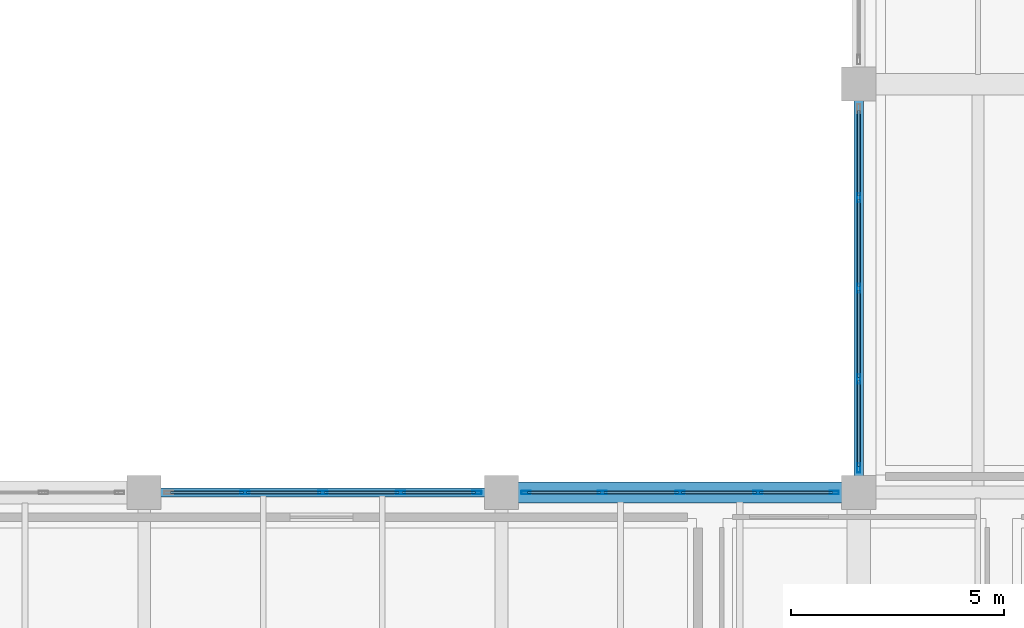
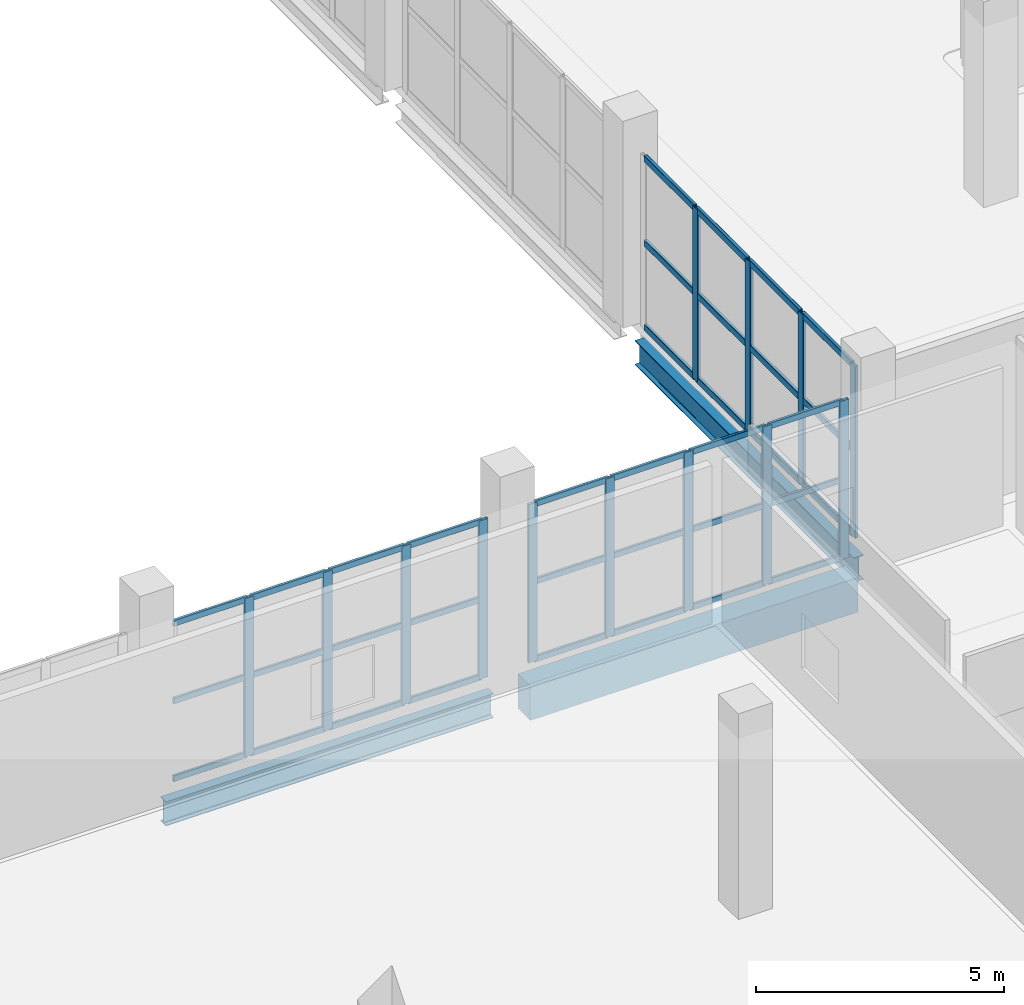
# One storey, part 39 of 73: 49 members, 3 beams, 3 elements without a shape of their own.
"""IFC4 building model written with IfcOpenShell, lengths in metres."""

from ifc_helpers import new_model, si_unit, direction, frame, origin, origin_2d, place, context, subcontext, project, spatial, rectangle, hollow_rectangle, i_section, extrude, material, layer, layer_set, material_profile, profile_set, type_object, element, aggregate, save


model = new_model("IFC4")

# Units and contexts
model_context = context("Model", 3, precision=1e-05, world=origin(), true_north=direction((0.0, 1.0)))
body_context = subcontext(model_context, "Body", "Model", "MODEL_VIEW")
ifc_project = project(units=[si_unit("LENGTHUNIT", "METRE"), si_unit("AREAUNIT", "SQUARE_METRE"), si_unit("VOLUMEUNIT", "CUBIC_METRE"), si_unit("PLANEANGLEUNIT", "RADIAN"), si_unit("MASSUNIT", "GRAM", prefix="KILO")], contexts=[model_context])

# Site, building, storey
site_placement = place(None, origin())
site = spatial("IfcSite", under=ifc_project, at=site_placement, CompositionType="ELEMENT")
building_placement = place(site_placement, origin())
building = spatial("IfcBuilding", under=site, at=building_placement, Name="Zulmaris Art Gallery", CompositionType="ELEMENT")
storey_placement = place(building_placement, frame((0.0, 0.0, 10.5)))
storey = spatial("IfcBuildingStorey", under=building, at=storey_placement, Name="L02", CompositionType="ELEMENT", Elevation=10.5)

# Beams
ifc_material_1 = material(Name="Steel S355J2", Category="steel")
ifc_material_profile_1 = material_profile(ifc_material_1, i_section(OverallWidth=0.219970703125, OverallDepth=0.60009765625, WebThickness=0.011962890625, FlangeThickness=0.01904296875, FilletRadius=0.02392578125, at=origin_2d()), Name="IPE 600")
ifc_profile_set_1 = profile_set([ifc_material_profile_1], Name="Steel S355J2")
beam_type_1 = type_object("IfcBeamType", Name="BEAM-BM07", PredefinedType="BEAM", material=ifc_profile_set_1)
beam_1_placement = place(storey_placement, frame((167.18505859375, 31.199951171875, -0.695068359375), z_axis=(1.0, 0.0, 0.0), x_axis=(0.0, 1.0, 0.0)))
element("IfcBeam", 1, at=beam_1_placement, inside=storey, type_object=beam_type_1, Name="L02 X-girder (166.8..175.2, y=31.2)", PredefinedType="BEAM", context=body_context, shape_type="SweptSolid", body=[
    extrude(i_section(OverallWidth=0.219970703125, OverallDepth=0.60009765625, WebThickness=0.011962890625, FlangeThickness=0.01904296875, FilletRadius=0.02392578125, at=origin_2d()), origin(), (0.0, 0.0, 1.0), 7.6298828125),
])
beam_2_placement = place(storey_placement, frame((183.60009765625, 31.5849609375, -0.699951171875), z_axis=(0.0, 1.0, 0.0), x_axis=(-1.0, 0.0, 0.0)))
element("IfcBeam", 2, at=beam_2_placement, inside=storey, type_object=beam_type_1, Name="L02 Y-girder (x=183.6, 31.2..40.8)", PredefinedType="BEAM", context=body_context, shape_type="SweptSolid", body=[
    extrude(i_section(OverallWidth=0.219970703125, OverallDepth=0.60009765625, WebThickness=0.011962890625, FlangeThickness=0.01904296875, FilletRadius=0.02392578125, at=origin_2d()), origin(), (0.0, 0.0, 1.0), 8.830078125),
])
ifc_material_2 = material(Name="Concrete C40/50", Category="concrete")
ifc_material_profile_2 = material_profile(ifc_material_2, rectangle(XDim=0.5, YDim=0.85009765625, at=origin_2d()), Name="RC 500x850")
ifc_profile_set_2 = profile_set([ifc_material_profile_2], Name="Concrete C40/50")
beam_type_2 = type_object("IfcBeamType", Name="BEAM-BM26", PredefinedType="BEAM", material=ifc_profile_set_2)
beam_3_placement = place(storey_placement, frame((175.5849609375, 31.199951171875, -0.824951171875), z_axis=(1.0, 0.0, 0.0), x_axis=(0.0, 1.0, 0.0)))
element("IfcBeam", 3, at=beam_3_placement, inside=storey, type_object=beam_type_2, Name="L02 X-girder (175.2..183.6, y=31.2)", PredefinedType="BEAM", context=body_context, shape_type="SweptSolid", body=[
    extrude(rectangle(XDim=0.5, YDim=0.85009765625, at=origin_2d()), origin(), (0.0, 0.0, 1.0), 7.630126953125),
])

# Curtain wall, members
ifc_material_3 = material(Name="Courtyard Artists Studio Curtain Wall", Category="aluminium")
ifc_layer = layer(ifc_material_3, 0.179931640625)
ifc_layer_set = layer_set([ifc_layer], Name="Courtyard Artists Studio Curtain Wall")
curtain_wall_type = type_object("IfcCurtainWallType", Name="CW-CW04", PredefinedType="NOTDEFINED", material=ifc_layer_set)
curtain_wall_1_placement = place(storey_placement, origin())
curtain_wall_1 = element("IfcCurtainWall", 4, at=curtain_wall_1_placement, inside=storey, type_object=curtain_wall_type, Name="L02 curtain wall 136", PredefinedType="NOTDEFINED")
ifc_material_4 = material(Name="Anodised Bronze Aluminium", Category="aluminium")
ifc_material_profile_3 = material_profile(ifc_material_4, hollow_rectangle(XDim=0.074951171875, YDim=0.219970703125, WallThickness=0.0048828125, InnerFilletRadius=0.007568359375, OuterFilletRadius=0.012451171875, at=origin_2d()), Name="ALU 75x220x5")
ifc_profile_set_3 = profile_set([ifc_material_profile_3], Name="Anodised Bronze Aluminium")
member_type_1 = type_object("IfcMemberType", Name="CWMUL-02", PredefinedType="MULLION", material=ifc_profile_set_3)
member_1_placement = place(storey_placement, frame((183.60009765625, 38.1298828125, 0.0), z_axis=(0.0, 0.0, 1.0), x_axis=(1.0, 0.0, 0.0)))
member_1 = element("IfcMember", 5, at=member_1_placement, type_object=member_type_1, Name="CW04 mullion 2", PredefinedType="MULLION", context=body_context, shape_type="SweptSolid", body=[
    extrude(hollow_rectangle(XDim=0.074951171875, YDim=0.219970703125, WallThickness=0.0048828125, InnerFilletRadius=0.007568359375, OuterFilletRadius=0.012451171875, at=origin_2d()), origin(), (0.0, 0.0, 1.0), 4.22998046875),
])
member_2_placement = place(storey_placement, frame((183.60009765625, 36.0, 0.0), z_axis=(0.0, 0.0, 1.0), x_axis=(1.0, 0.0, 0.0)))
member_2 = element("IfcMember", 6, at=member_2_placement, type_object=member_type_1, Name="CW04 mullion 3", PredefinedType="MULLION", context=body_context, shape_type="SweptSolid", body=[
    extrude(hollow_rectangle(XDim=0.074951171875, YDim=0.219970703125, WallThickness=0.0048828125, InnerFilletRadius=0.007568359375, OuterFilletRadius=0.012451171875, at=origin_2d()), origin(), (0.0, 0.0, 1.0), 4.22998046875),
])
member_3_placement = place(storey_placement, frame((183.60009765625, 33.8701171875, 0.0), z_axis=(0.0, 0.0, 1.0), x_axis=(1.0, 0.0, 0.0)))
member_3 = element("IfcMember", 7, at=member_3_placement, type_object=member_type_1, Name="CW04 mullion 4", PredefinedType="MULLION", context=body_context, shape_type="SweptSolid", body=[
    extrude(hollow_rectangle(XDim=0.074951171875, YDim=0.219970703125, WallThickness=0.0048828125, InnerFilletRadius=0.007568359375, OuterFilletRadius=0.012451171875, at=origin_2d()), origin(), (0.0, 0.0, 1.0), 4.22998046875),
])
member_4_placement = place(storey_placement, frame((183.60009765625, 31.777587890625, 0.0), z_axis=(0.0, 0.0, 1.0), x_axis=(1.0, 0.0, 0.0)))
member_4 = element("IfcMember", 8, at=member_4_placement, type_object=member_type_1, Name="CW04 mullion 5", PredefinedType="MULLION", context=body_context, shape_type="SweptSolid", body=[
    extrude(hollow_rectangle(XDim=0.074951171875, YDim=0.219970703125, WallThickness=0.0048828125, InnerFilletRadius=0.007568359375, OuterFilletRadius=0.012451171875, at=origin_2d()), origin(), (0.0, 0.0, 1.0), 4.22998046875),
])

curtain_wall_2_placement = place(storey_placement, origin())
curtain_wall_2 = element("IfcCurtainWall", 9, at=curtain_wall_2_placement, inside=storey, type_object=curtain_wall_type, Name="L02 curtain wall 144", PredefinedType="NOTDEFINED")
member_5_placement = place(storey_placement, frame((169.169921875, 31.199951171875, 0.0), z_axis=(0.0, 0.0, 1.0), x_axis=(0.0, 1.0, 0.0)))
member_5 = element("IfcMember", 10, at=member_5_placement, type_object=member_type_1, Name="CW04 mullion 2", PredefinedType="MULLION", context=body_context, shape_type="SweptSolid", body=[
    extrude(hollow_rectangle(XDim=0.074951171875, YDim=0.219970703125, WallThickness=0.0048828125, InnerFilletRadius=0.007568359375, OuterFilletRadius=0.012451171875, at=origin_2d()), origin(), (0.0, 0.0, 1.0), 3.89990234375),
])
member_6_placement = place(storey_placement, frame((171.0, 31.199951171875, 0.0), z_axis=(0.0, 0.0, 1.0), x_axis=(0.0, 1.0, 0.0)))
member_6 = element("IfcMember", 11, at=member_6_placement, type_object=member_type_1, Name="CW04 mullion 3", PredefinedType="MULLION", context=body_context, shape_type="SweptSolid", body=[
    extrude(hollow_rectangle(XDim=0.074951171875, YDim=0.219970703125, WallThickness=0.0048828125, InnerFilletRadius=0.007568359375, OuterFilletRadius=0.012451171875, at=origin_2d()), origin(), (0.0, 0.0, 1.0), 3.89990234375),
])
member_7_placement = place(storey_placement, frame((172.830078125, 31.199951171875, 0.0), z_axis=(0.0, 0.0, 1.0), x_axis=(0.0, 1.0, 0.0)))
member_7 = element("IfcMember", 12, at=member_7_placement, type_object=member_type_1, Name="CW04 mullion 4", PredefinedType="MULLION", context=body_context, shape_type="SweptSolid", body=[
    extrude(hollow_rectangle(XDim=0.074951171875, YDim=0.219970703125, WallThickness=0.0048828125, InnerFilletRadius=0.007568359375, OuterFilletRadius=0.012451171875, at=origin_2d()), origin(), (0.0, 0.0, 1.0), 3.89990234375),
])
member_8_placement = place(storey_placement, frame((174.62255859375, 31.199951171875, 0.0), z_axis=(0.0, 0.0, 1.0), x_axis=(0.0, 1.0, 0.0)))
member_8 = element("IfcMember", 13, at=member_8_placement, type_object=member_type_1, Name="CW04 mullion 5", PredefinedType="MULLION", context=body_context, shape_type="SweptSolid", body=[
    extrude(hollow_rectangle(XDim=0.074951171875, YDim=0.219970703125, WallThickness=0.0048828125, InnerFilletRadius=0.007568359375, OuterFilletRadius=0.012451171875, at=origin_2d()), origin(), (0.0, 0.0, 1.0), 3.89990234375),
])

curtain_wall_3_placement = place(storey_placement, origin())
curtain_wall_3 = element("IfcCurtainWall", 14, at=curtain_wall_3_placement, inside=storey, type_object=curtain_wall_type, Name="L02 curtain wall 146", PredefinedType="NOTDEFINED")
member_9_placement = place(storey_placement, frame((175.777587890625, 31.199951171875, 0.0), z_axis=(0.0, 0.0, 1.0), x_axis=(0.0, 1.0, 0.0)))
member_9 = element("IfcMember", 15, at=member_9_placement, type_object=member_type_1, Name="CW04 mullion 1", PredefinedType="MULLION", context=body_context, shape_type="SweptSolid", body=[
    extrude(hollow_rectangle(XDim=0.074951171875, YDim=0.219970703125, WallThickness=0.0048828125, InnerFilletRadius=0.007568359375, OuterFilletRadius=0.012451171875, at=origin_2d()), origin(), (0.0, 0.0, 1.0), 3.89990234375),
])
member_10_placement = place(storey_placement, frame((177.570068359375, 31.199951171875, 0.0), z_axis=(0.0, 0.0, 1.0), x_axis=(0.0, 1.0, 0.0)))
member_10 = element("IfcMember", 16, at=member_10_placement, type_object=member_type_1, Name="CW04 mullion 2", PredefinedType="MULLION", context=body_context, shape_type="SweptSolid", body=[
    extrude(hollow_rectangle(XDim=0.074951171875, YDim=0.219970703125, WallThickness=0.0048828125, InnerFilletRadius=0.007568359375, OuterFilletRadius=0.012451171875, at=origin_2d()), origin(), (0.0, 0.0, 1.0), 3.89990234375),
])
member_11_placement = place(storey_placement, frame((179.39990234375, 31.199951171875, 0.0), z_axis=(0.0, 0.0, 1.0), x_axis=(0.0, 1.0, 0.0)))
member_11 = element("IfcMember", 17, at=member_11_placement, type_object=member_type_1, Name="CW04 mullion 3", PredefinedType="MULLION", context=body_context, shape_type="SweptSolid", body=[
    extrude(hollow_rectangle(XDim=0.074951171875, YDim=0.219970703125, WallThickness=0.0048828125, InnerFilletRadius=0.007568359375, OuterFilletRadius=0.012451171875, at=origin_2d()), origin(), (0.0, 0.0, 1.0), 3.89990234375),
])
member_12_placement = place(storey_placement, frame((181.22998046875, 31.199951171875, 0.0), z_axis=(0.0, 0.0, 1.0), x_axis=(0.0, 1.0, 0.0)))
member_12 = element("IfcMember", 18, at=member_12_placement, type_object=member_type_1, Name="CW04 mullion 4", PredefinedType="MULLION", context=body_context, shape_type="SweptSolid", body=[
    extrude(hollow_rectangle(XDim=0.074951171875, YDim=0.219970703125, WallThickness=0.0048828125, InnerFilletRadius=0.007568359375, OuterFilletRadius=0.012451171875, at=origin_2d()), origin(), (0.0, 0.0, 1.0), 3.89990234375),
])
member_13_placement = place(storey_placement, frame((183.0224609375, 31.199951171875, 0.0), z_axis=(0.0, 0.0, 1.0), x_axis=(0.0, 1.0, 0.0)))
member_13 = element("IfcMember", 19, at=member_13_placement, type_object=member_type_1, Name="CW04 mullion 5", PredefinedType="MULLION", context=body_context, shape_type="SweptSolid", body=[
    extrude(hollow_rectangle(XDim=0.074951171875, YDim=0.219970703125, WallThickness=0.0048828125, InnerFilletRadius=0.007568359375, OuterFilletRadius=0.012451171875, at=origin_2d()), origin(), (0.0, 0.0, 1.0), 3.89990234375),
])

# Member
ifc_material_profile_4 = material_profile(ifc_material_4, hollow_rectangle(XDim=0.06494140625, YDim=0.14990234375, WallThickness=0.00390625, InnerFilletRadius=0.006103515625, OuterFilletRadius=0.010009765625, at=origin_2d()), Name="ALU 65x150x4")
ifc_profile_set_4 = profile_set([ifc_material_profile_4], Name="Anodised Bronze Aluminium")
member_type_2 = type_object("IfcMemberType", Name="CWTRN-01", PredefinedType="USERDEFINED", material=ifc_profile_set_4)
member_14_placement = place(storey_placement, frame((167.4150390625, 31.199951171875, 0.03759765625), z_axis=(1.0, 0.0, 0.0), x_axis=(0.0, 1.0, 0.0)))
member_14 = element("IfcMember", 20, at=member_14_placement, type_object=member_type_2, Name="CW04 transom 1.1", ObjectType="TRANSOM", PredefinedType="USERDEFINED", context=body_context, shape_type="SweptSolid", body=[
    extrude(hollow_rectangle(XDim=0.06494140625, YDim=0.14990234375, WallThickness=0.00390625, InnerFilletRadius=0.006103515625, OuterFilletRadius=0.010009765625, at=origin_2d()), origin(), (0.0, 0.0, 1.0), 1.717529296875),
])

member_15_placement = place(storey_placement, frame((167.4150390625, 31.199951171875, 1.949951171875), z_axis=(1.0, 0.0, 0.0), x_axis=(0.0, 1.0, 0.0)))
member_15 = element("IfcMember", 21, at=member_15_placement, type_object=member_type_2, Name="CW04 transom 1.2", ObjectType="TRANSOM", PredefinedType="USERDEFINED", context=body_context, shape_type="SweptSolid", body=[
    extrude(hollow_rectangle(XDim=0.06494140625, YDim=0.14990234375, WallThickness=0.00390625, InnerFilletRadius=0.006103515625, OuterFilletRadius=0.010009765625, at=origin_2d()), origin(), (0.0, 0.0, 1.0), 1.717529296875),
])

member_16_placement = place(storey_placement, frame((167.4150390625, 31.199951171875, 3.862548828125), z_axis=(1.0, 0.0, 0.0), x_axis=(0.0, 1.0, 0.0)))
member_16 = element("IfcMember", 22, at=member_16_placement, type_object=member_type_2, Name="CW04 transom 1.3", ObjectType="TRANSOM", PredefinedType="USERDEFINED", context=body_context, shape_type="SweptSolid", body=[
    extrude(hollow_rectangle(XDim=0.06494140625, YDim=0.14990234375, WallThickness=0.00390625, InnerFilletRadius=0.006103515625, OuterFilletRadius=0.010009765625, at=origin_2d()), origin(), (0.0, 0.0, 1.0), 1.717529296875),
])

member_17_placement = place(storey_placement, frame((169.20751953125, 31.199951171875, 0.03759765625), z_axis=(1.0, 0.0, 0.0), x_axis=(0.0, 1.0, 0.0)))
member_17 = element("IfcMember", 23, at=member_17_placement, type_object=member_type_2, Name="CW04 transom 2.1", ObjectType="TRANSOM", PredefinedType="USERDEFINED", context=body_context, shape_type="SweptSolid", body=[
    extrude(hollow_rectangle(XDim=0.06494140625, YDim=0.14990234375, WallThickness=0.00390625, InnerFilletRadius=0.006103515625, OuterFilletRadius=0.010009765625, at=origin_2d()), origin(), (0.0, 0.0, 1.0), 1.7548828125),
])

member_18_placement = place(storey_placement, frame((169.20751953125, 31.199951171875, 1.949951171875), z_axis=(1.0, 0.0, 0.0), x_axis=(0.0, 1.0, 0.0)))
member_18 = element("IfcMember", 24, at=member_18_placement, type_object=member_type_2, Name="CW04 transom 2.2", ObjectType="TRANSOM", PredefinedType="USERDEFINED", context=body_context, shape_type="SweptSolid", body=[
    extrude(hollow_rectangle(XDim=0.06494140625, YDim=0.14990234375, WallThickness=0.00390625, InnerFilletRadius=0.006103515625, OuterFilletRadius=0.010009765625, at=origin_2d()), origin(), (0.0, 0.0, 1.0), 1.7548828125),
])

member_19_placement = place(storey_placement, frame((169.20751953125, 31.199951171875, 3.862548828125), z_axis=(1.0, 0.0, 0.0), x_axis=(0.0, 1.0, 0.0)))
member_19 = element("IfcMember", 25, at=member_19_placement, type_object=member_type_2, Name="CW04 transom 2.3", ObjectType="TRANSOM", PredefinedType="USERDEFINED", context=body_context, shape_type="SweptSolid", body=[
    extrude(hollow_rectangle(XDim=0.06494140625, YDim=0.14990234375, WallThickness=0.00390625, InnerFilletRadius=0.006103515625, OuterFilletRadius=0.010009765625, at=origin_2d()), origin(), (0.0, 0.0, 1.0), 1.7548828125),
])

member_20_placement = place(storey_placement, frame((171.03759765625, 31.199951171875, 0.03759765625), z_axis=(1.0, 0.0, 0.0), x_axis=(0.0, 1.0, 0.0)))
member_20 = element("IfcMember", 26, at=member_20_placement, type_object=member_type_2, Name="CW04 transom 3.1", ObjectType="TRANSOM", PredefinedType="USERDEFINED", context=body_context, shape_type="SweptSolid", body=[
    extrude(hollow_rectangle(XDim=0.06494140625, YDim=0.14990234375, WallThickness=0.00390625, InnerFilletRadius=0.006103515625, OuterFilletRadius=0.010009765625, at=origin_2d()), origin(), (0.0, 0.0, 1.0), 1.7548828125),
])

member_21_placement = place(storey_placement, frame((171.03759765625, 31.199951171875, 1.949951171875), z_axis=(1.0, 0.0, 0.0), x_axis=(0.0, 1.0, 0.0)))
member_21 = element("IfcMember", 27, at=member_21_placement, type_object=member_type_2, Name="CW04 transom 3.2", ObjectType="TRANSOM", PredefinedType="USERDEFINED", context=body_context, shape_type="SweptSolid", body=[
    extrude(hollow_rectangle(XDim=0.06494140625, YDim=0.14990234375, WallThickness=0.00390625, InnerFilletRadius=0.006103515625, OuterFilletRadius=0.010009765625, at=origin_2d()), origin(), (0.0, 0.0, 1.0), 1.7548828125),
])

member_22_placement = place(storey_placement, frame((171.03759765625, 31.199951171875, 3.862548828125), z_axis=(1.0, 0.0, 0.0), x_axis=(0.0, 1.0, 0.0)))
member_22 = element("IfcMember", 28, at=member_22_placement, type_object=member_type_2, Name="CW04 transom 3.3", ObjectType="TRANSOM", PredefinedType="USERDEFINED", context=body_context, shape_type="SweptSolid", body=[
    extrude(hollow_rectangle(XDim=0.06494140625, YDim=0.14990234375, WallThickness=0.00390625, InnerFilletRadius=0.006103515625, OuterFilletRadius=0.010009765625, at=origin_2d()), origin(), (0.0, 0.0, 1.0), 1.7548828125),
])

member_23_placement = place(storey_placement, frame((172.867431640625, 31.199951171875, 0.03759765625), z_axis=(1.0, 0.0, 0.0), x_axis=(0.0, 1.0, 0.0)))
member_23 = element("IfcMember", 29, at=member_23_placement, type_object=member_type_2, Name="CW04 transom 4.1", ObjectType="TRANSOM", PredefinedType="USERDEFINED", context=body_context, shape_type="SweptSolid", body=[
    extrude(hollow_rectangle(XDim=0.06494140625, YDim=0.14990234375, WallThickness=0.00390625, InnerFilletRadius=0.006103515625, OuterFilletRadius=0.010009765625, at=origin_2d()), origin(), (0.0, 0.0, 1.0), 1.717529296875),
])

member_24_placement = place(storey_placement, frame((172.867431640625, 31.199951171875, 1.949951171875), z_axis=(1.0, 0.0, 0.0), x_axis=(0.0, 1.0, 0.0)))
member_24 = element("IfcMember", 30, at=member_24_placement, type_object=member_type_2, Name="CW04 transom 4.2", ObjectType="TRANSOM", PredefinedType="USERDEFINED", context=body_context, shape_type="SweptSolid", body=[
    extrude(hollow_rectangle(XDim=0.06494140625, YDim=0.14990234375, WallThickness=0.00390625, InnerFilletRadius=0.006103515625, OuterFilletRadius=0.010009765625, at=origin_2d()), origin(), (0.0, 0.0, 1.0), 1.717529296875),
])

member_25_placement = place(storey_placement, frame((172.867431640625, 31.199951171875, 3.862548828125), z_axis=(1.0, 0.0, 0.0), x_axis=(0.0, 1.0, 0.0)))
member_25 = element("IfcMember", 31, at=member_25_placement, type_object=member_type_2, Name="CW04 transom 4.3", ObjectType="TRANSOM", PredefinedType="USERDEFINED", context=body_context, shape_type="SweptSolid", body=[
    extrude(hollow_rectangle(XDim=0.06494140625, YDim=0.14990234375, WallThickness=0.00390625, InnerFilletRadius=0.006103515625, OuterFilletRadius=0.010009765625, at=origin_2d()), origin(), (0.0, 0.0, 1.0), 1.717529296875),
])

aggregate(curtain_wall_2, [member_5, member_6, member_7, member_8, member_14, member_15, member_16, member_17, member_18, member_19, member_20, member_21, member_22, member_23, member_24, member_25])

member_26_placement = place(storey_placement, frame((175.81494140625, 31.199951171875, 0.03759765625), z_axis=(1.0, 0.0, 0.0), x_axis=(0.0, 1.0, 0.0)))
member_26 = element("IfcMember", 32, at=member_26_placement, type_object=member_type_2, Name="CW04 transom 1.1", ObjectType="TRANSOM", PredefinedType="USERDEFINED", context=body_context, shape_type="SweptSolid", body=[
    extrude(hollow_rectangle(XDim=0.06494140625, YDim=0.14990234375, WallThickness=0.00390625, InnerFilletRadius=0.006103515625, OuterFilletRadius=0.010009765625, at=origin_2d()), origin(), (0.0, 0.0, 1.0), 1.717529296875),
])

member_27_placement = place(storey_placement, frame((175.81494140625, 31.199951171875, 1.949951171875), z_axis=(1.0, 0.0, 0.0), x_axis=(0.0, 1.0, 0.0)))
member_27 = element("IfcMember", 33, at=member_27_placement, type_object=member_type_2, Name="CW04 transom 1.2", ObjectType="TRANSOM", PredefinedType="USERDEFINED", context=body_context, shape_type="SweptSolid", body=[
    extrude(hollow_rectangle(XDim=0.06494140625, YDim=0.14990234375, WallThickness=0.00390625, InnerFilletRadius=0.006103515625, OuterFilletRadius=0.010009765625, at=origin_2d()), origin(), (0.0, 0.0, 1.0), 1.717529296875),
])

member_28_placement = place(storey_placement, frame((175.81494140625, 31.199951171875, 3.862548828125), z_axis=(1.0, 0.0, 0.0), x_axis=(0.0, 1.0, 0.0)))
member_28 = element("IfcMember", 34, at=member_28_placement, type_object=member_type_2, Name="CW04 transom 1.3", ObjectType="TRANSOM", PredefinedType="USERDEFINED", context=body_context, shape_type="SweptSolid", body=[
    extrude(hollow_rectangle(XDim=0.06494140625, YDim=0.14990234375, WallThickness=0.00390625, InnerFilletRadius=0.006103515625, OuterFilletRadius=0.010009765625, at=origin_2d()), origin(), (0.0, 0.0, 1.0), 1.717529296875),
])

member_29_placement = place(storey_placement, frame((177.607421875, 31.199951171875, 0.03759765625), z_axis=(1.0, 0.0, 0.0), x_axis=(0.0, 1.0, 0.0)))
member_29 = element("IfcMember", 35, at=member_29_placement, type_object=member_type_2, Name="CW04 transom 2.1", ObjectType="TRANSOM", PredefinedType="USERDEFINED", context=body_context, shape_type="SweptSolid", body=[
    extrude(hollow_rectangle(XDim=0.06494140625, YDim=0.14990234375, WallThickness=0.00390625, InnerFilletRadius=0.006103515625, OuterFilletRadius=0.010009765625, at=origin_2d()), origin(), (0.0, 0.0, 1.0), 1.755126953125),
])

member_30_placement = place(storey_placement, frame((177.607421875, 31.199951171875, 1.949951171875), z_axis=(1.0, 0.0, 0.0), x_axis=(0.0, 1.0, 0.0)))
member_30 = element("IfcMember", 36, at=member_30_placement, type_object=member_type_2, Name="CW04 transom 2.2", ObjectType="TRANSOM", PredefinedType="USERDEFINED", context=body_context, shape_type="SweptSolid", body=[
    extrude(hollow_rectangle(XDim=0.06494140625, YDim=0.14990234375, WallThickness=0.00390625, InnerFilletRadius=0.006103515625, OuterFilletRadius=0.010009765625, at=origin_2d()), origin(), (0.0, 0.0, 1.0), 1.755126953125),
])

member_31_placement = place(storey_placement, frame((177.607421875, 31.199951171875, 3.862548828125), z_axis=(1.0, 0.0, 0.0), x_axis=(0.0, 1.0, 0.0)))
member_31 = element("IfcMember", 37, at=member_31_placement, type_object=member_type_2, Name="CW04 transom 2.3", ObjectType="TRANSOM", PredefinedType="USERDEFINED", context=body_context, shape_type="SweptSolid", body=[
    extrude(hollow_rectangle(XDim=0.06494140625, YDim=0.14990234375, WallThickness=0.00390625, InnerFilletRadius=0.006103515625, OuterFilletRadius=0.010009765625, at=origin_2d()), origin(), (0.0, 0.0, 1.0), 1.755126953125),
])

member_32_placement = place(storey_placement, frame((179.4375, 31.199951171875, 0.03759765625), z_axis=(1.0, 0.0, 0.0), x_axis=(0.0, 1.0, 0.0)))
member_32 = element("IfcMember", 38, at=member_32_placement, type_object=member_type_2, Name="CW04 transom 3.1", ObjectType="TRANSOM", PredefinedType="USERDEFINED", context=body_context, shape_type="SweptSolid", body=[
    extrude(hollow_rectangle(XDim=0.06494140625, YDim=0.14990234375, WallThickness=0.00390625, InnerFilletRadius=0.006103515625, OuterFilletRadius=0.010009765625, at=origin_2d()), origin(), (0.0, 0.0, 1.0), 1.7548828125),
])

member_33_placement = place(storey_placement, frame((179.4375, 31.199951171875, 1.949951171875), z_axis=(1.0, 0.0, 0.0), x_axis=(0.0, 1.0, 0.0)))
member_33 = element("IfcMember", 39, at=member_33_placement, type_object=member_type_2, Name="CW04 transom 3.2", ObjectType="TRANSOM", PredefinedType="USERDEFINED", context=body_context, shape_type="SweptSolid", body=[
    extrude(hollow_rectangle(XDim=0.06494140625, YDim=0.14990234375, WallThickness=0.00390625, InnerFilletRadius=0.006103515625, OuterFilletRadius=0.010009765625, at=origin_2d()), origin(), (0.0, 0.0, 1.0), 1.7548828125),
])

member_34_placement = place(storey_placement, frame((179.4375, 31.199951171875, 3.862548828125), z_axis=(1.0, 0.0, 0.0), x_axis=(0.0, 1.0, 0.0)))
member_34 = element("IfcMember", 40, at=member_34_placement, type_object=member_type_2, Name="CW04 transom 3.3", ObjectType="TRANSOM", PredefinedType="USERDEFINED", context=body_context, shape_type="SweptSolid", body=[
    extrude(hollow_rectangle(XDim=0.06494140625, YDim=0.14990234375, WallThickness=0.00390625, InnerFilletRadius=0.006103515625, OuterFilletRadius=0.010009765625, at=origin_2d()), origin(), (0.0, 0.0, 1.0), 1.7548828125),
])

member_35_placement = place(storey_placement, frame((181.267578125, 31.199951171875, 0.03759765625), z_axis=(1.0, 0.0, 0.0), x_axis=(0.0, 1.0, 0.0)))
member_35 = element("IfcMember", 41, at=member_35_placement, type_object=member_type_2, Name="CW04 transom 4.1", ObjectType="TRANSOM", PredefinedType="USERDEFINED", context=body_context, shape_type="SweptSolid", body=[
    extrude(hollow_rectangle(XDim=0.06494140625, YDim=0.14990234375, WallThickness=0.00390625, InnerFilletRadius=0.006103515625, OuterFilletRadius=0.010009765625, at=origin_2d()), origin(), (0.0, 0.0, 1.0), 1.717529296875),
])

member_36_placement = place(storey_placement, frame((181.267578125, 31.199951171875, 1.949951171875), z_axis=(1.0, 0.0, 0.0), x_axis=(0.0, 1.0, 0.0)))
member_36 = element("IfcMember", 42, at=member_36_placement, type_object=member_type_2, Name="CW04 transom 4.2", ObjectType="TRANSOM", PredefinedType="USERDEFINED", context=body_context, shape_type="SweptSolid", body=[
    extrude(hollow_rectangle(XDim=0.06494140625, YDim=0.14990234375, WallThickness=0.00390625, InnerFilletRadius=0.006103515625, OuterFilletRadius=0.010009765625, at=origin_2d()), origin(), (0.0, 0.0, 1.0), 1.717529296875),
])

member_37_placement = place(storey_placement, frame((181.267578125, 31.199951171875, 3.862548828125), z_axis=(1.0, 0.0, 0.0), x_axis=(0.0, 1.0, 0.0)))
member_37 = element("IfcMember", 43, at=member_37_placement, type_object=member_type_2, Name="CW04 transom 4.3", ObjectType="TRANSOM", PredefinedType="USERDEFINED", context=body_context, shape_type="SweptSolid", body=[
    extrude(hollow_rectangle(XDim=0.06494140625, YDim=0.14990234375, WallThickness=0.00390625, InnerFilletRadius=0.006103515625, OuterFilletRadius=0.010009765625, at=origin_2d()), origin(), (0.0, 0.0, 1.0), 1.717529296875),
])

aggregate(curtain_wall_3, [member_9, member_10, member_11, member_12, member_13, member_26, member_27, member_28, member_29, member_30, member_31, member_32, member_33, member_34, member_35, member_36, member_37])

ifc_material_profile_5 = material_profile(ifc_material_4, hollow_rectangle(XDim=0.074951171875, YDim=0.159912109375, WallThickness=0.00390625, InnerFilletRadius=0.006103515625, OuterFilletRadius=0.010009765625, at=origin_2d()), Name="ALU 75x160x4")
ifc_profile_set_5 = profile_set([ifc_material_profile_5], Name="Anodised Bronze Aluminium")
member_type_3 = type_object("IfcMemberType", Name="CWTRN-02", PredefinedType="USERDEFINED", material=ifc_profile_set_5)
member_38_placement = place(storey_placement, frame((183.60009765625, 40.18505859375, 0.03759765625), z_axis=(0.0, -1.0, 0.0), x_axis=(1.0, 0.0, 0.0)))
member_38 = element("IfcMember", 44, at=member_38_placement, type_object=member_type_3, Name="CW04 transom 1.1", ObjectType="TRANSOM", PredefinedType="USERDEFINED", context=body_context, shape_type="SweptSolid", body=[
    extrude(hollow_rectangle(XDim=0.074951171875, YDim=0.159912109375, WallThickness=0.00390625, InnerFilletRadius=0.006103515625, OuterFilletRadius=0.010009765625, at=origin_2d()), origin(), (0.0, 0.0, 1.0), 2.017578125),
])

member_39_placement = place(storey_placement, frame((183.60009765625, 40.18505859375, 2.114990234375), z_axis=(0.0, -1.0, 0.0), x_axis=(1.0, 0.0, 0.0)))
member_39 = element("IfcMember", 45, at=member_39_placement, type_object=member_type_3, Name="CW04 transom 1.2", ObjectType="TRANSOM", PredefinedType="USERDEFINED", context=body_context, shape_type="SweptSolid", body=[
    extrude(hollow_rectangle(XDim=0.074951171875, YDim=0.159912109375, WallThickness=0.00390625, InnerFilletRadius=0.006103515625, OuterFilletRadius=0.010009765625, at=origin_2d()), origin(), (0.0, 0.0, 1.0), 2.017578125),
])

member_40_placement = place(storey_placement, frame((183.60009765625, 40.18505859375, 4.1923828125), z_axis=(0.0, -1.0, 0.0), x_axis=(1.0, 0.0, 0.0)))
member_40 = element("IfcMember", 46, at=member_40_placement, type_object=member_type_3, Name="CW04 transom 1.3", ObjectType="TRANSOM", PredefinedType="USERDEFINED", context=body_context, shape_type="SweptSolid", body=[
    extrude(hollow_rectangle(XDim=0.074951171875, YDim=0.159912109375, WallThickness=0.00390625, InnerFilletRadius=0.006103515625, OuterFilletRadius=0.010009765625, at=origin_2d()), origin(), (0.0, 0.0, 1.0), 2.017578125),
])

member_41_placement = place(storey_placement, frame((183.60009765625, 38.092529296875, 0.03759765625), z_axis=(0.0, -1.0, 0.0), x_axis=(1.0, 0.0, 0.0)))
member_41 = element("IfcMember", 47, at=member_41_placement, type_object=member_type_3, Name="CW04 transom 2.1", ObjectType="TRANSOM", PredefinedType="USERDEFINED", context=body_context, shape_type="SweptSolid", body=[
    extrude(hollow_rectangle(XDim=0.074951171875, YDim=0.159912109375, WallThickness=0.00390625, InnerFilletRadius=0.006103515625, OuterFilletRadius=0.010009765625, at=origin_2d()), origin(), (0.0, 0.0, 1.0), 2.054931640625),
])

member_42_placement = place(storey_placement, frame((183.60009765625, 38.092529296875, 2.114990234375), z_axis=(0.0, -1.0, 0.0), x_axis=(1.0, 0.0, 0.0)))
member_42 = element("IfcMember", 48, at=member_42_placement, type_object=member_type_3, Name="CW04 transom 2.2", ObjectType="TRANSOM", PredefinedType="USERDEFINED", context=body_context, shape_type="SweptSolid", body=[
    extrude(hollow_rectangle(XDim=0.074951171875, YDim=0.159912109375, WallThickness=0.00390625, InnerFilletRadius=0.006103515625, OuterFilletRadius=0.010009765625, at=origin_2d()), origin(), (0.0, 0.0, 1.0), 2.054931640625),
])

member_43_placement = place(storey_placement, frame((183.60009765625, 38.092529296875, 4.1923828125), z_axis=(0.0, -1.0, 0.0), x_axis=(1.0, 0.0, 0.0)))
member_43 = element("IfcMember", 49, at=member_43_placement, type_object=member_type_3, Name="CW04 transom 2.3", ObjectType="TRANSOM", PredefinedType="USERDEFINED", context=body_context, shape_type="SweptSolid", body=[
    extrude(hollow_rectangle(XDim=0.074951171875, YDim=0.159912109375, WallThickness=0.00390625, InnerFilletRadius=0.006103515625, OuterFilletRadius=0.010009765625, at=origin_2d()), origin(), (0.0, 0.0, 1.0), 2.054931640625),
])

member_44_placement = place(storey_placement, frame((183.60009765625, 35.96240234375, 0.03759765625), z_axis=(0.0, -1.0, 0.0), x_axis=(1.0, 0.0, 0.0)))
member_44 = element("IfcMember", 50, at=member_44_placement, type_object=member_type_3, Name="CW04 transom 3.1", ObjectType="TRANSOM", PredefinedType="USERDEFINED", context=body_context, shape_type="SweptSolid", body=[
    extrude(hollow_rectangle(XDim=0.074951171875, YDim=0.159912109375, WallThickness=0.00390625, InnerFilletRadius=0.006103515625, OuterFilletRadius=0.010009765625, at=origin_2d()), origin(), (0.0, 0.0, 1.0), 2.054931640625),
])

member_45_placement = place(storey_placement, frame((183.60009765625, 35.96240234375, 2.114990234375), z_axis=(0.0, -1.0, 0.0), x_axis=(1.0, 0.0, 0.0)))
member_45 = element("IfcMember", 51, at=member_45_placement, type_object=member_type_3, Name="CW04 transom 3.2", ObjectType="TRANSOM", PredefinedType="USERDEFINED", context=body_context, shape_type="SweptSolid", body=[
    extrude(hollow_rectangle(XDim=0.074951171875, YDim=0.159912109375, WallThickness=0.00390625, InnerFilletRadius=0.006103515625, OuterFilletRadius=0.010009765625, at=origin_2d()), origin(), (0.0, 0.0, 1.0), 2.054931640625),
])

member_46_placement = place(storey_placement, frame((183.60009765625, 35.96240234375, 4.1923828125), z_axis=(0.0, -1.0, 0.0), x_axis=(1.0, 0.0, 0.0)))
member_46 = element("IfcMember", 52, at=member_46_placement, type_object=member_type_3, Name="CW04 transom 3.3", ObjectType="TRANSOM", PredefinedType="USERDEFINED", context=body_context, shape_type="SweptSolid", body=[
    extrude(hollow_rectangle(XDim=0.074951171875, YDim=0.159912109375, WallThickness=0.00390625, InnerFilletRadius=0.006103515625, OuterFilletRadius=0.010009765625, at=origin_2d()), origin(), (0.0, 0.0, 1.0), 2.054931640625),
])

member_47_placement = place(storey_placement, frame((183.60009765625, 33.83251953125, 0.03759765625), z_axis=(0.0, -1.0, 0.0), x_axis=(1.0, 0.0, 0.0)))
member_47 = element("IfcMember", 53, at=member_47_placement, type_object=member_type_3, Name="CW04 transom 4.1", ObjectType="TRANSOM", PredefinedType="USERDEFINED", context=body_context, shape_type="SweptSolid", body=[
    extrude(hollow_rectangle(XDim=0.074951171875, YDim=0.159912109375, WallThickness=0.00390625, InnerFilletRadius=0.006103515625, OuterFilletRadius=0.010009765625, at=origin_2d()), origin(), (0.0, 0.0, 1.0), 2.017578125),
])

member_48_placement = place(storey_placement, frame((183.60009765625, 33.83251953125, 2.114990234375), z_axis=(0.0, -1.0, 0.0), x_axis=(1.0, 0.0, 0.0)))
member_48 = element("IfcMember", 54, at=member_48_placement, type_object=member_type_3, Name="CW04 transom 4.2", ObjectType="TRANSOM", PredefinedType="USERDEFINED", context=body_context, shape_type="SweptSolid", body=[
    extrude(hollow_rectangle(XDim=0.074951171875, YDim=0.159912109375, WallThickness=0.00390625, InnerFilletRadius=0.006103515625, OuterFilletRadius=0.010009765625, at=origin_2d()), origin(), (0.0, 0.0, 1.0), 2.017578125),
])

member_49_placement = place(storey_placement, frame((183.60009765625, 33.83251953125, 4.1923828125), z_axis=(0.0, -1.0, 0.0), x_axis=(1.0, 0.0, 0.0)))
member_49 = element("IfcMember", 55, at=member_49_placement, type_object=member_type_3, Name="CW04 transom 4.3", ObjectType="TRANSOM", PredefinedType="USERDEFINED", context=body_context, shape_type="SweptSolid", body=[
    extrude(hollow_rectangle(XDim=0.074951171875, YDim=0.159912109375, WallThickness=0.00390625, InnerFilletRadius=0.006103515625, OuterFilletRadius=0.010009765625, at=origin_2d()), origin(), (0.0, 0.0, 1.0), 2.017578125),
])

aggregate(curtain_wall_1, [member_1, member_2, member_3, member_4, member_38, member_39, member_40, member_41, member_42, member_43, member_44, member_45, member_46, member_47, member_48, member_49])

save(model, "model.ifc")
